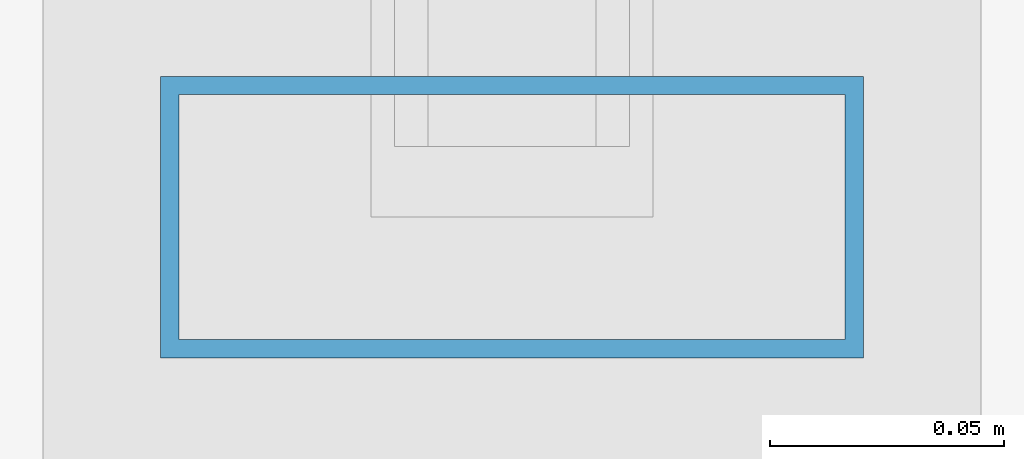
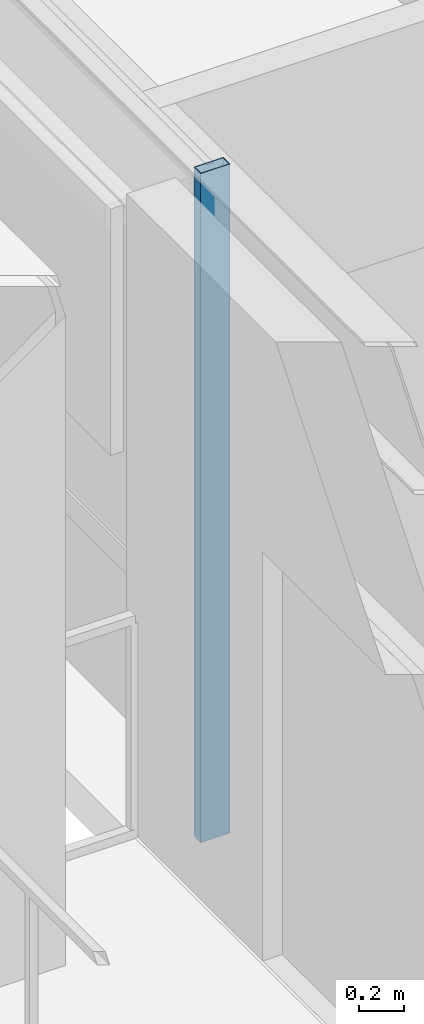
# One storey, part 9 of 27: 1 member, 1 element without a shape of its own.
"""IFC4 building model written with IfcOpenShell, lengths in metres."""

from ifc_helpers import new_model, si_unit, direction, frame, origin, origin_2d, place, context, subcontext, project, spatial, hollow_rectangle, extrude, material, layer, layer_set, material_profile, profile_set, type_object, element, aggregate, save


model = new_model("IFC4")

# Units and contexts
model_context = context("Model", 3, precision=1e-05, world=origin(), true_north=direction((0.0, 1.0)))
body_context = subcontext(model_context, "Body", "Model", "MODEL_VIEW")
ifc_project = project(units=[si_unit("LENGTHUNIT", "METRE"), si_unit("AREAUNIT", "SQUARE_METRE"), si_unit("VOLUMEUNIT", "CUBIC_METRE"), si_unit("PLANEANGLEUNIT", "RADIAN"), si_unit("MASSUNIT", "GRAM", prefix="KILO")], contexts=[model_context])

# Site, building, storey
site_placement = place(None, origin())
site = spatial("IfcSite", under=ifc_project, at=site_placement, CompositionType="ELEMENT")
building_placement = place(site_placement, origin())
building = spatial("IfcBuilding", under=site, at=building_placement, Name="Brelmoor Portico Tower", CompositionType="ELEMENT")
storey_placement = place(building_placement, frame((0.0, 0.0, 250.800048828125)))
storey = spatial("IfcBuildingStorey", under=building, at=storey_placement, Name="L66", CompositionType="ELEMENT", Elevation=250.800048828125)

# Curtain wall, member
ifc_material = material(Name="Anodised Aluminium Alloy 6063-T6", Category="aluminium")
ifc_layer = layer(ifc_material, 0.179931640625)
ifc_layer_set = layer_set([ifc_layer], Name="Anodised Aluminium Alloy 6063-T6")
curtain_wall_type = type_object("IfcCurtainWallType", Name="CW-TOWER-Z4", PredefinedType="NOTDEFINED", material=ifc_layer_set)
curtain_wall_placement = place(storey_placement, origin())
curtain_wall = element("IfcCurtainWall", 1, at=curtain_wall_placement, inside=storey, type_object=curtain_wall_type, Name="L66 Curtain Wall CW-L66-3R-1", PredefinedType="NOTDEFINED")
ifc_material_profile = material_profile(ifc_material, hollow_rectangle(XDim=0.06005859375, YDim=0.14990234375, WallThickness=0.00390625, at=origin_2d()), Name="ALU MULLION 60x150")
ifc_profile_set = profile_set([ifc_material_profile], Name="Anodised Aluminium Alloy 6063-T6")
member_type = type_object("IfcMemberType", Name="MB-CW-MULL-150", PredefinedType="MULLION", material=ifc_profile_set)
member_placement = place(storey_placement, frame((-18.550048828125, -1.0, -0.199951171875), z_axis=(0.0, 0.0, 1.0), x_axis=(0.0, 1.0, 0.0)))
member = element("IfcMember", 2, at=member_placement, type_object=member_type, Name="CW-L66-3R-1 Mullion 00", PredefinedType="MULLION", context=body_context, shape_type="SweptSolid", body=[
    extrude(hollow_rectangle(XDim=0.06005859375, YDim=0.14990234375, WallThickness=0.00390625, at=origin_2d()), origin(), (0.0, 0.0, 1.0), 3.599853515625),
])
aggregate(curtain_wall, [member])

save(model, "model.ifc")
